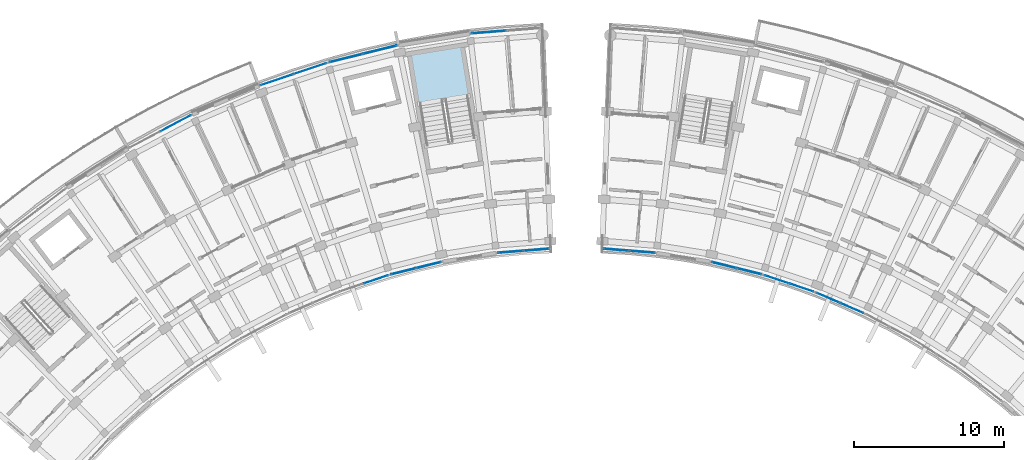
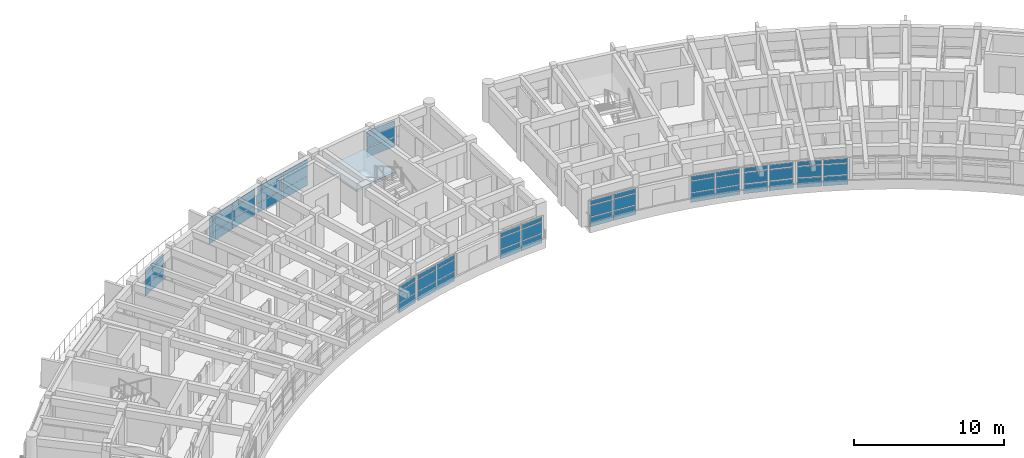
# One storey, part 22 of 55: 57 plates, 1 slab, 12 elements without a shape of their own.
"""IFC4 building model written with IfcOpenShell, lengths in metres."""

from ifc_helpers import new_model, si_unit, direction, frame, origin, origin_2d, place, context, subcontext, project, spatial, polyline, rectangle, outline, extrude, material, layer, layer_set, type_object, element, aggregate, save


model = new_model("IFC4")

# Units and contexts
model_context = context("Model", 3, precision=1e-05, world=origin(), true_north=direction((0.0, 1.0)))
body_context = subcontext(model_context, "Body", "Model", "MODEL_VIEW")
ifc_project = project(units=[si_unit("LENGTHUNIT", "METRE"), si_unit("AREAUNIT", "SQUARE_METRE"), si_unit("VOLUMEUNIT", "CUBIC_METRE"), si_unit("PLANEANGLEUNIT", "RADIAN"), si_unit("MASSUNIT", "GRAM", prefix="KILO")], contexts=[model_context])

# Site, building, storey
site_placement = place(None, origin())
site = spatial("IfcSite", under=ifc_project, at=site_placement, CompositionType="ELEMENT")
building_placement = place(site_placement, origin())
building = spatial("IfcBuilding", under=site, at=building_placement, Name="Zimvara Arc Housing Community", CompositionType="ELEMENT")
storey_placement = place(building_placement, frame((0.0, 0.0, 14.300048828125)))
storey = spatial("IfcBuildingStorey", under=building, at=storey_placement, Name="L04", CompositionType="ELEMENT", Elevation=14.300048828125)

# Curtain wall, plates
ifc_material_1 = material(Name="Anodised Aluminium AW-6063", Category="aluminium")
curtain_wall_type_1 = type_object("IfcCurtainWallType", Name="CW-SYS-08", PredefinedType="USERDEFINED", material=ifc_material_1)
curtain_wall_1_placement = place(storey_placement, origin())
curtain_wall_1 = element("IfcCurtainWall", 1, at=curtain_wall_1_placement, inside=storey, type_object=curtain_wall_type_1, Name="cw:blkA:L04:in:b7", ObjectType="CURTAIN WALL", PredefinedType="USERDEFINED")
ifc_material_2 = material(Name="Pale-Gold Anodised Aluminium Spandrel Panel", Category="aluminium")
ifc_layer_1 = layer(ifc_material_2, 0.035888671875)
ifc_layer_set_1 = layer_set([ifc_layer_1], Name="Pale-Gold Anodised Aluminium Spandrel Panel")
plate_type_1 = type_object("IfcPlateType", Name="CWP-GLD-36", PredefinedType="CURTAIN_PANEL", material=ifc_layer_set_1)
plate_1_placement = place(storey_placement, frame((33.45068359375, 87.569580078125, 0.06494140625), z_axis=(0.0, 0.0, 1.0), x_axis=(0.970716537698, 0.240227815706, 0.0)))
plate_1 = element("IfcPlate", 2, at=plate_1_placement, type_object=plate_type_1, Name="CW08 panel 1.1", PredefinedType="CURTAIN_PANEL", context=body_context, shape_type="SweptSolid", body=[
    extrude(rectangle(XDim=1.664306640625, YDim=0.035888671875, at=origin_2d()), origin(), (0.0, 0.0, 1.0), 0.75244140625),
])
plate_2_placement = place(storey_placement, frame((33.45068359375, 87.569580078125, 0.88232421875), z_axis=(0.0, 0.0, 1.0), x_axis=(0.970716537698, 0.240227815706, 0.0)))
plate_2 = element("IfcPlate", 3, at=plate_2_placement, type_object=plate_type_1, Name="CW08 panel 1.2", PredefinedType="CURTAIN_PANEL", context=body_context, shape_type="SweptSolid", body=[
    extrude(rectangle(XDim=1.664306640625, YDim=0.035888671875, at=origin_2d()), origin(), (0.0, 0.0, 1.0), 0.885009765625),
])
plate_3_placement = place(storey_placement, frame((33.45068359375, 87.569580078125, 1.83251953125), z_axis=(0.0, 0.0, 1.0), x_axis=(0.970716537698, 0.240227815706, 0.0)))
plate_3 = element("IfcPlate", 4, at=plate_3_placement, type_object=plate_type_1, Name="CW08 panel 1.3", PredefinedType="CURTAIN_PANEL", context=body_context, shape_type="SweptSolid", body=[
    extrude(rectangle(XDim=1.664306640625, YDim=0.035888671875, at=origin_2d()), origin(), (0.0, 0.0, 1.0), 0.3525390625),
])
plate_4_placement = place(storey_placement, frame((35.12939453125, 87.98486328125, 0.06494140625), z_axis=(0.0, 0.0, 1.0), x_axis=(0.970716537698, 0.240227815706, 0.0)))
plate_4 = element("IfcPlate", 5, at=plate_4_placement, type_object=plate_type_1, Name="CW08 panel 2.1", PredefinedType="CURTAIN_PANEL", context=body_context, shape_type="SweptSolid", body=[
    extrude(rectangle(XDim=1.664306640625, YDim=0.035888671875, at=origin_2d()), origin(), (0.0, 0.0, 1.0), 0.75244140625),
])
plate_5_placement = place(storey_placement, frame((35.12939453125, 87.98486328125, 0.88232421875), z_axis=(0.0, 0.0, 1.0), x_axis=(0.970716537698, 0.240227815706, 0.0)))
plate_5 = element("IfcPlate", 6, at=plate_5_placement, type_object=plate_type_1, Name="CW08 panel 2.2", PredefinedType="CURTAIN_PANEL", context=body_context, shape_type="SweptSolid", body=[
    extrude(rectangle(XDim=1.664306640625, YDim=0.035888671875, at=origin_2d()), origin(), (0.0, 0.0, 1.0), 0.885009765625),
])
plate_6_placement = place(storey_placement, frame((35.12939453125, 87.98486328125, 1.83251953125), z_axis=(0.0, 0.0, 1.0), x_axis=(0.970716537698, 0.240227815706, 0.0)))
plate_6 = element("IfcPlate", 7, at=plate_6_placement, type_object=plate_type_1, Name="CW08 panel 2.3", PredefinedType="CURTAIN_PANEL", context=body_context, shape_type="SweptSolid", body=[
    extrude(rectangle(XDim=1.664306640625, YDim=0.035888671875, at=origin_2d()), origin(), (0.0, 0.0, 1.0), 0.3525390625),
])
aggregate(curtain_wall_1, [plate_1, plate_2, plate_3, plate_4, plate_5, plate_6])

curtain_wall_2_placement = place(storey_placement, origin())
curtain_wall_2 = element("IfcCurtainWall", 8, at=curtain_wall_2_placement, inside=storey, type_object=curtain_wall_type_1, Name="cw:blkB:L04:in:b2", ObjectType="CURTAIN WALL", PredefinedType="USERDEFINED")
plate_7_placement = place(storey_placement, frame((54.87060546875, 87.98486328125, 0.06494140625), z_axis=(0.0, 0.0, 1.0), x_axis=(0.970716537698, -0.240227815706, 0.0)))
plate_7 = element("IfcPlate", 9, at=plate_7_placement, type_object=plate_type_1, Name="CW08 panel 1.1", PredefinedType="CURTAIN_PANEL", context=body_context, shape_type="SweptSolid", body=[
    extrude(rectangle(XDim=1.664306640625, YDim=0.035888671875, at=origin_2d()), origin(), (0.0, 0.0, 1.0), 0.75244140625),
])
plate_8_placement = place(storey_placement, frame((54.87060546875, 87.98486328125, 0.88232421875), z_axis=(0.0, 0.0, 1.0), x_axis=(0.970716537698, -0.240227815706, 0.0)))
plate_8 = element("IfcPlate", 10, at=plate_8_placement, type_object=plate_type_1, Name="CW08 panel 1.2", PredefinedType="CURTAIN_PANEL", context=body_context, shape_type="SweptSolid", body=[
    extrude(rectangle(XDim=1.664306640625, YDim=0.035888671875, at=origin_2d()), origin(), (0.0, 0.0, 1.0), 0.885009765625),
])
plate_9_placement = place(storey_placement, frame((54.87060546875, 87.98486328125, 1.83251953125), z_axis=(0.0, 0.0, 1.0), x_axis=(0.970716537698, -0.240227815706, 0.0)))
plate_9 = element("IfcPlate", 11, at=plate_9_placement, type_object=plate_type_1, Name="CW08 panel 1.3", PredefinedType="CURTAIN_PANEL", context=body_context, shape_type="SweptSolid", body=[
    extrude(rectangle(XDim=1.664306640625, YDim=0.035888671875, at=origin_2d()), origin(), (0.0, 0.0, 1.0), 0.3525390625),
])
plate_10_placement = place(storey_placement, frame((56.54931640625, 87.569580078125, 0.06494140625), z_axis=(0.0, 0.0, 1.0), x_axis=(0.970716537698, -0.240227815706, 0.0)))
plate_10 = element("IfcPlate", 12, at=plate_10_placement, type_object=plate_type_1, Name="CW08 panel 2.1", PredefinedType="CURTAIN_PANEL", context=body_context, shape_type="SweptSolid", body=[
    extrude(rectangle(XDim=1.664306640625, YDim=0.035888671875, at=origin_2d()), origin(), (0.0, 0.0, 1.0), 0.75244140625),
])
plate_11_placement = place(storey_placement, frame((56.54931640625, 87.569580078125, 0.88232421875), z_axis=(0.0, 0.0, 1.0), x_axis=(0.970716537698, -0.240227815706, 0.0)))
plate_11 = element("IfcPlate", 13, at=plate_11_placement, type_object=plate_type_1, Name="CW08 panel 2.2", PredefinedType="CURTAIN_PANEL", context=body_context, shape_type="SweptSolid", body=[
    extrude(rectangle(XDim=1.664306640625, YDim=0.035888671875, at=origin_2d()), origin(), (0.0, 0.0, 1.0), 0.885009765625),
])
plate_12_placement = place(storey_placement, frame((56.54931640625, 87.569580078125, 1.83251953125), z_axis=(0.0, 0.0, 1.0), x_axis=(0.970716537698, -0.240227815706, 0.0)))
plate_12 = element("IfcPlate", 14, at=plate_12_placement, type_object=plate_type_1, Name="CW08 panel 2.3", PredefinedType="CURTAIN_PANEL", context=body_context, shape_type="SweptSolid", body=[
    extrude(rectangle(XDim=1.664306640625, YDim=0.035888671875, at=origin_2d()), origin(), (0.0, 0.0, 1.0), 0.3525390625),
])
aggregate(curtain_wall_2, [plate_7, plate_8, plate_9, plate_10, plate_11, plate_12])

ifc_material_3 = material(Name="Anodised Aluminium AW-6063", Category="aluminium")
curtain_wall_type_2 = type_object("IfcCurtainWallType", Name="CW-SYS-05", PredefinedType="USERDEFINED", material=ifc_material_3)
curtain_wall_3_placement = place(storey_placement, origin())
curtain_wall_3 = element("IfcCurtainWall", 15, at=curtain_wall_3_placement, inside=storey, type_object=curtain_wall_type_2, Name="cw:blkA:L04:out:b6", ObjectType="CURTAIN WALL", PredefinedType="USERDEFINED")
ifc_material_4 = material(Name="Solar Control Low-E Double Glazing", Category="glass")
ifc_layer_2 = layer(ifc_material_4, 0.02392578125)
ifc_layer_set_2 = layer_set([ifc_layer_2], Name="Solar Control Low-E Double Glazing")
plate_type_2 = type_object("IfcPlateType", Name="CWP-GLZ-24", PredefinedType="CURTAIN_PANEL", material=ifc_layer_set_2)
plate_13_placement = place(storey_placement, frame((24.990478515625, 100.36669921875, 0.06494140625), z_axis=(0.0, 0.0, 1.0), x_axis=(0.947879647164, 0.318628583921, 0.0)))
plate_13 = element("IfcPlate", 16, at=plate_13_placement, type_object=plate_type_2, Name="CW05 panel 1.1", PredefinedType="CURTAIN_PANEL", context=body_context, shape_type="SweptSolid", body=[
    extrude(rectangle(XDim=2.266845703125, YDim=0.02392578125, at=origin_2d()), origin(), (0.0, 0.0, 1.0), 0.75244140625),
])
plate_14_placement = place(storey_placement, frame((24.990478515625, 100.36669921875, 0.88232421875), z_axis=(0.0, 0.0, 1.0), x_axis=(0.947879647164, 0.318628583921, 0.0)))
plate_14 = element("IfcPlate", 17, at=plate_14_placement, type_object=plate_type_2, Name="CW05 panel 1.2", PredefinedType="CURTAIN_PANEL", context=body_context, shape_type="SweptSolid", body=[
    extrude(rectangle(XDim=2.266845703125, YDim=0.02392578125, at=origin_2d()), origin(), (0.0, 0.0, 1.0), 0.885009765625),
])
plate_15_placement = place(storey_placement, frame((24.990478515625, 100.36669921875, 1.83251953125), z_axis=(0.0, 0.0, 1.0), x_axis=(0.947879647164, 0.318628583921, 0.0)))
plate_15 = element("IfcPlate", 18, at=plate_15_placement, type_object=plate_type_2, Name="CW05 panel 1.3", PredefinedType="CURTAIN_PANEL", context=body_context, shape_type="SweptSolid", body=[
    extrude(rectangle(XDim=2.266845703125, YDim=0.02392578125, at=origin_2d()), origin(), (0.0, 0.0, 1.0), 0.3525390625),
])
plate_16_placement = place(storey_placement, frame((27.200927734375, 101.109619140625, 0.06494140625), z_axis=(0.0, 0.0, 1.0), x_axis=(0.947879647164, 0.318628583921, 0.0)))
plate_16 = element("IfcPlate", 19, at=plate_16_placement, type_object=plate_type_2, Name="CW05 panel 2.1", PredefinedType="CURTAIN_PANEL", context=body_context, shape_type="SweptSolid", body=[
    extrude(rectangle(XDim=2.266845703125, YDim=0.02392578125, at=origin_2d()), origin(), (0.0, 0.0, 1.0), 0.75244140625),
])
plate_17_placement = place(storey_placement, frame((27.200927734375, 101.109619140625, 0.88232421875), z_axis=(0.0, 0.0, 1.0), x_axis=(0.947879647164, 0.318628583921, 0.0)))
plate_17 = element("IfcPlate", 20, at=plate_17_placement, type_object=plate_type_2, Name="CW05 panel 2.2", PredefinedType="CURTAIN_PANEL", context=body_context, shape_type="SweptSolid", body=[
    extrude(rectangle(XDim=2.266845703125, YDim=0.02392578125, at=origin_2d()), origin(), (0.0, 0.0, 1.0), 0.885009765625),
])
plate_18_placement = place(storey_placement, frame((27.200927734375, 101.109619140625, 1.83251953125), z_axis=(0.0, 0.0, 1.0), x_axis=(0.947879647164, 0.318628583921, 0.0)))
plate_18 = element("IfcPlate", 21, at=plate_18_placement, type_object=plate_type_2, Name="CW05 panel 2.3", PredefinedType="CURTAIN_PANEL", context=body_context, shape_type="SweptSolid", body=[
    extrude(rectangle(XDim=2.266845703125, YDim=0.02392578125, at=origin_2d()), origin(), (0.0, 0.0, 1.0), 0.3525390625),
])
aggregate(curtain_wall_3, [plate_13, plate_14, plate_15, plate_16, plate_17, plate_18])

ifc_material_5 = material(Name="Anodised Aluminium AW-6063", Category="aluminium")
curtain_wall_type_3 = type_object("IfcCurtainWallType", Name="CW-SYS-01", PredefinedType="USERDEFINED", material=ifc_material_5)
curtain_wall_4_placement = place(storey_placement, origin())
curtain_wall_4 = element("IfcCurtainWall", 22, at=curtain_wall_4_placement, inside=storey, type_object=curtain_wall_type_3, Name="cw:blkA:L04:out:b9", ObjectType="CURTAIN WALL", PredefinedType="USERDEFINED")
plate_19_placement = place(storey_placement, frame((39.141357421875, 103.552001953125, 0.06494140625), z_axis=(0.0, 0.0, 1.0), x_axis=(0.996862418963, 0.079153759607, 0.0)))
plate_19 = element("IfcPlate", 23, at=plate_19_placement, type_object=plate_type_2, Name="CW01 panel 1.1", PredefinedType="CURTAIN_PANEL", context=body_context, shape_type="SweptSolid", body=[
    extrude(rectangle(XDim=2.266845703125, YDim=0.02392578125, at=origin_2d()), origin(), (0.0, 0.0, 1.0), 0.75244140625),
])
plate_20_placement = place(storey_placement, frame((39.141357421875, 103.552001953125, 0.88232421875), z_axis=(0.0, 0.0, 1.0), x_axis=(0.996862418963, 0.079153759607, 0.0)))
plate_20 = element("IfcPlate", 24, at=plate_20_placement, type_object=plate_type_2, Name="CW01 panel 1.2", PredefinedType="CURTAIN_PANEL", context=body_context, shape_type="SweptSolid", body=[
    extrude(rectangle(XDim=2.266845703125, YDim=0.02392578125, at=origin_2d()), origin(), (0.0, 0.0, 1.0), 0.885009765625),
])
plate_21_placement = place(storey_placement, frame((39.141357421875, 103.552001953125, 1.83251953125), z_axis=(0.0, 0.0, 1.0), x_axis=(0.996862418963, 0.079153759607, 0.0)))
plate_21 = element("IfcPlate", 25, at=plate_21_placement, type_object=plate_type_2, Name="CW01 panel 1.3", PredefinedType="CURTAIN_PANEL", context=body_context, shape_type="SweptSolid", body=[
    extrude(rectangle(XDim=2.266845703125, YDim=0.02392578125, at=origin_2d()), origin(), (0.0, 0.0, 1.0), 0.3525390625),
])
aggregate(curtain_wall_4, [plate_19, plate_20, plate_21])

curtain_wall_5_placement = place(storey_placement, origin())
curtain_wall_5 = element("IfcCurtainWall", 26, at=curtain_wall_5_placement, inside=storey, type_object=curtain_wall_type_3, Name="cw:blkB:L04:in:b3", ObjectType="CURTAIN WALL", PredefinedType="USERDEFINED")
plate_22_placement = place(storey_placement, frame((58.3857421875, 87.03466796875, 0.06494140625), z_axis=(0.0, 0.0, 1.0), x_axis=(0.94787908732, -0.318630249383, 0.0)))
plate_22 = element("IfcPlate", 27, at=plate_22_placement, type_object=plate_type_2, Name="CW01 panel 1.1", PredefinedType="CURTAIN_PANEL", context=body_context, shape_type="SweptSolid", body=[
    extrude(rectangle(XDim=1.664306640625, YDim=0.02392578125, at=origin_2d()), origin(), (0.0, 0.0, 1.0), 0.75244140625),
])
plate_23_placement = place(storey_placement, frame((58.3857421875, 87.03466796875, 0.88232421875), z_axis=(0.0, 0.0, 1.0), x_axis=(0.94787908732, -0.318630249383, 0.0)))
plate_23 = element("IfcPlate", 28, at=plate_23_placement, type_object=plate_type_2, Name="CW01 panel 1.2", PredefinedType="CURTAIN_PANEL", context=body_context, shape_type="SweptSolid", body=[
    extrude(rectangle(XDim=1.664306640625, YDim=0.02392578125, at=origin_2d()), origin(), (0.0, 0.0, 1.0), 0.885009765625),
])
plate_24_placement = place(storey_placement, frame((58.3857421875, 87.03466796875, 1.83251953125), z_axis=(0.0, 0.0, 1.0), x_axis=(0.94787908732, -0.318630249383, 0.0)))
plate_24 = element("IfcPlate", 29, at=plate_24_placement, type_object=plate_type_2, Name="CW01 panel 1.3", PredefinedType="CURTAIN_PANEL", context=body_context, shape_type="SweptSolid", body=[
    extrude(rectangle(XDim=1.664306640625, YDim=0.02392578125, at=origin_2d()), origin(), (0.0, 0.0, 1.0), 0.3525390625),
])
plate_25_placement = place(storey_placement, frame((60.02490234375, 86.483642578125, 0.06494140625), z_axis=(0.0, 0.0, 1.0), x_axis=(0.94787908732, -0.318630249383, 0.0)))
plate_25 = element("IfcPlate", 30, at=plate_25_placement, type_object=plate_type_2, Name="CW01 panel 2.1", PredefinedType="CURTAIN_PANEL", context=body_context, shape_type="SweptSolid", body=[
    extrude(rectangle(XDim=1.664306640625, YDim=0.02392578125, at=origin_2d()), origin(), (0.0, 0.0, 1.0), 0.75244140625),
])
plate_26_placement = place(storey_placement, frame((60.02490234375, 86.483642578125, 0.88232421875), z_axis=(0.0, 0.0, 1.0), x_axis=(0.94787908732, -0.318630249383, 0.0)))
plate_26 = element("IfcPlate", 31, at=plate_26_placement, type_object=plate_type_2, Name="CW01 panel 2.2", PredefinedType="CURTAIN_PANEL", context=body_context, shape_type="SweptSolid", body=[
    extrude(rectangle(XDim=1.664306640625, YDim=0.02392578125, at=origin_2d()), origin(), (0.0, 0.0, 1.0), 0.885009765625),
])
plate_27_placement = place(storey_placement, frame((60.02490234375, 86.483642578125, 1.83251953125), z_axis=(0.0, 0.0, 1.0), x_axis=(0.94787908732, -0.318630249383, 0.0)))
plate_27 = element("IfcPlate", 32, at=plate_27_placement, type_object=plate_type_2, Name="CW01 panel 2.3", PredefinedType="CURTAIN_PANEL", context=body_context, shape_type="SweptSolid", body=[
    extrude(rectangle(XDim=1.664306640625, YDim=0.02392578125, at=origin_2d()), origin(), (0.0, 0.0, 1.0), 0.3525390625),
])
aggregate(curtain_wall_5, [plate_22, plate_23, plate_24, plate_25, plate_26, plate_27])

ifc_material_6 = material(Name="Anodised Aluminium AW-6063", Category="aluminium")
curtain_wall_type_4 = type_object("IfcCurtainWallType", Name="CW-SYS-02", PredefinedType="USERDEFINED", material=ifc_material_6)
curtain_wall_6_placement = place(storey_placement, origin())
curtain_wall_6 = element("IfcCurtainWall", 33, at=curtain_wall_6_placement, inside=storey, type_object=curtain_wall_type_4, Name="cw:blkA:L04:out:b4", ObjectType="CURTAIN WALL", PredefinedType="USERDEFINED")
ifc_material_7 = material(Name="Solar Control Low-E Double Glazing", Category="glass")
ifc_layer_3 = layer(ifc_material_7, 0.028076171875)
ifc_layer_set_3 = layer_set([ifc_layer_3], Name="Solar Control Low-E Double Glazing")
plate_type_3 = type_object("IfcPlateType", Name="CWP-GLZ-28", PredefinedType="CURTAIN_PANEL", material=ifc_layer_set_3)
plate_28_placement = place(storey_placement, frame((18.23095703125, 97.461181640625, 0.06494140625), z_axis=(0.0, 0.0, 1.0), x_axis=(0.883438614651, 0.468546917761, 0.0)))
plate_28 = element("IfcPlate", 34, at=plate_28_placement, type_object=plate_type_3, Name="CW02 panel 2.1", PredefinedType="CURTAIN_PANEL", context=body_context, shape_type="SweptSolid", body=[
    extrude(rectangle(XDim=2.266845703125, YDim=0.028076171875, at=origin_2d()), origin(), (0.0, 0.0, 1.0), 0.75244140625),
])
plate_29_placement = place(storey_placement, frame((18.23095703125, 97.461181640625, 0.88232421875), z_axis=(0.0, 0.0, 1.0), x_axis=(0.883438614651, 0.468546917761, 0.0)))
plate_29 = element("IfcPlate", 35, at=plate_29_placement, type_object=plate_type_3, Name="CW02 panel 2.2", PredefinedType="CURTAIN_PANEL", context=body_context, shape_type="SweptSolid", body=[
    extrude(rectangle(XDim=2.266845703125, YDim=0.028076171875, at=origin_2d()), origin(), (0.0, 0.0, 1.0), 0.885009765625),
])
plate_30_placement = place(storey_placement, frame((18.23095703125, 97.461181640625, 1.83251953125), z_axis=(0.0, 0.0, 1.0), x_axis=(0.883438614651, 0.468546917761, 0.0)))
plate_30 = element("IfcPlate", 36, at=plate_30_placement, type_object=plate_type_3, Name="CW02 panel 2.3", PredefinedType="CURTAIN_PANEL", context=body_context, shape_type="SweptSolid", body=[
    extrude(rectangle(XDim=2.266845703125, YDim=0.028076171875, at=origin_2d()), origin(), (0.0, 0.0, 1.0), 0.3525390625),
])
aggregate(curtain_wall_6, [plate_28, plate_29, plate_30])

ifc_material_8 = material(Name="Anodised Aluminium AW-6063", Category="aluminium")
curtain_wall_type_5 = type_object("IfcCurtainWallType", Name="CW-SYS-06", PredefinedType="USERDEFINED", material=ifc_material_8)
curtain_wall_7_placement = place(storey_placement, origin())
curtain_wall_7 = element("IfcCurtainWall", 37, at=curtain_wall_7_placement, inside=storey, type_object=curtain_wall_type_5, Name="cw:blkA:L04:in:b6", ObjectType="CURTAIN WALL", PredefinedType="USERDEFINED")
plate_31_placement = place(storey_placement, frame((31.6142578125, 87.03466796875, 0.06494140625), z_axis=(0.0, 0.0, 1.0), x_axis=(0.94787908732, 0.318630249383, 0.0)))
plate_31 = element("IfcPlate", 38, at=plate_31_placement, type_object=plate_type_3, Name="CW06 panel 2.1", PredefinedType="CURTAIN_PANEL", context=body_context, shape_type="SweptSolid", body=[
    extrude(rectangle(XDim=1.664306640625, YDim=0.028076171875, at=origin_2d()), origin(), (0.0, 0.0, 1.0), 0.75244140625),
])
plate_32_placement = place(storey_placement, frame((31.6142578125, 87.03466796875, 0.88232421875), z_axis=(0.0, 0.0, 1.0), x_axis=(0.94787908732, 0.318630249383, 0.0)))
plate_32 = element("IfcPlate", 39, at=plate_32_placement, type_object=plate_type_3, Name="CW06 panel 2.2", PredefinedType="CURTAIN_PANEL", context=body_context, shape_type="SweptSolid", body=[
    extrude(rectangle(XDim=1.664306640625, YDim=0.028076171875, at=origin_2d()), origin(), (0.0, 0.0, 1.0), 0.885009765625),
])
plate_33_placement = place(storey_placement, frame((31.6142578125, 87.03466796875, 1.83251953125), z_axis=(0.0, 0.0, 1.0), x_axis=(0.94787908732, 0.318630249383, 0.0)))
plate_33 = element("IfcPlate", 40, at=plate_33_placement, type_object=plate_type_3, Name="CW06 panel 2.3", PredefinedType="CURTAIN_PANEL", context=body_context, shape_type="SweptSolid", body=[
    extrude(rectangle(XDim=1.664306640625, YDim=0.028076171875, at=origin_2d()), origin(), (0.0, 0.0, 1.0), 0.3525390625),
])
aggregate(curtain_wall_7, [plate_31, plate_32, plate_33])

curtain_wall_8_placement = place(storey_placement, origin())
curtain_wall_8 = element("IfcCurtainWall", 41, at=curtain_wall_8_placement, inside=storey, type_object=curtain_wall_type_4, Name="cw:blkA:L04:in:b9", ObjectType="CURTAIN WALL", PredefinedType="USERDEFINED")
plate_34_placement = place(storey_placement, frame((40.609130859375, 88.87451171875, 0.06494140625), z_axis=(0.0, 0.0, 1.0), x_axis=(0.996862343506, 0.079154709897, 0.0)))
plate_34 = element("IfcPlate", 42, at=plate_34_placement, type_object=plate_type_3, Name="CW02 panel 1.1", PredefinedType="CURTAIN_PANEL", context=body_context, shape_type="SweptSolid", body=[
    extrude(rectangle(XDim=1.664306640625, YDim=0.028076171875, at=origin_2d()), origin(), (0.0, 0.0, 1.0), 0.75244140625),
])
plate_35_placement = place(storey_placement, frame((40.609130859375, 88.87451171875, 0.88232421875), z_axis=(0.0, 0.0, 1.0), x_axis=(0.996862343506, 0.079154709897, 0.0)))
plate_35 = element("IfcPlate", 43, at=plate_35_placement, type_object=plate_type_3, Name="CW02 panel 1.2", PredefinedType="CURTAIN_PANEL", context=body_context, shape_type="SweptSolid", body=[
    extrude(rectangle(XDim=1.664306640625, YDim=0.028076171875, at=origin_2d()), origin(), (0.0, 0.0, 1.0), 0.885009765625),
])
plate_36_placement = place(storey_placement, frame((40.609130859375, 88.87451171875, 1.83251953125), z_axis=(0.0, 0.0, 1.0), x_axis=(0.996862343506, 0.079154709897, 0.0)))
plate_36 = element("IfcPlate", 44, at=plate_36_placement, type_object=plate_type_3, Name="CW02 panel 1.3", PredefinedType="CURTAIN_PANEL", context=body_context, shape_type="SweptSolid", body=[
    extrude(rectangle(XDim=1.664306640625, YDim=0.028076171875, at=origin_2d()), origin(), (0.0, 0.0, 1.0), 0.3525390625),
])
plate_37_placement = place(storey_placement, frame((42.3330078125, 89.01123046875, 0.06494140625), z_axis=(0.0, 0.0, 1.0), x_axis=(0.996862343506, 0.079154709897, 0.0)))
plate_37 = element("IfcPlate", 45, at=plate_37_placement, type_object=plate_type_3, Name="CW02 panel 2.1", PredefinedType="CURTAIN_PANEL", context=body_context, shape_type="SweptSolid", body=[
    extrude(rectangle(XDim=1.664306640625, YDim=0.028076171875, at=origin_2d()), origin(), (0.0, 0.0, 1.0), 0.75244140625),
])
plate_38_placement = place(storey_placement, frame((42.3330078125, 89.01123046875, 0.88232421875), z_axis=(0.0, 0.0, 1.0), x_axis=(0.996862343506, 0.079154709897, 0.0)))
plate_38 = element("IfcPlate", 46, at=plate_38_placement, type_object=plate_type_3, Name="CW02 panel 2.2", PredefinedType="CURTAIN_PANEL", context=body_context, shape_type="SweptSolid", body=[
    extrude(rectangle(XDim=1.664306640625, YDim=0.028076171875, at=origin_2d()), origin(), (0.0, 0.0, 1.0), 0.885009765625),
])
plate_39_placement = place(storey_placement, frame((42.3330078125, 89.01123046875, 1.83251953125), z_axis=(0.0, 0.0, 1.0), x_axis=(0.996862343506, 0.079154709897, 0.0)))
plate_39 = element("IfcPlate", 47, at=plate_39_placement, type_object=plate_type_3, Name="CW02 panel 2.3", PredefinedType="CURTAIN_PANEL", context=body_context, shape_type="SweptSolid", body=[
    extrude(rectangle(XDim=1.664306640625, YDim=0.028076171875, at=origin_2d()), origin(), (0.0, 0.0, 1.0), 0.3525390625),
])
aggregate(curtain_wall_8, [plate_34, plate_35, plate_36, plate_37, plate_38, plate_39])

curtain_wall_9_placement = place(storey_placement, origin())
curtain_wall_9 = element("IfcCurtainWall", 48, at=curtain_wall_9_placement, inside=storey, type_object=curtain_wall_type_5, Name="cw:blkB:L04:in:b0", ObjectType="CURTAIN WALL", PredefinedType="USERDEFINED")
plate_40_placement = place(storey_placement, frame((47.6669921875, 89.01123046875, 0.06494140625), z_axis=(0.0, 0.0, 1.0), x_axis=(0.996862343506, -0.079154709897, 0.0)))
plate_40 = element("IfcPlate", 49, at=plate_40_placement, type_object=plate_type_3, Name="CW06 panel 1.1", PredefinedType="CURTAIN_PANEL", context=body_context, shape_type="SweptSolid", body=[
    extrude(rectangle(XDim=1.664306640625, YDim=0.028076171875, at=origin_2d()), origin(), (0.0, 0.0, 1.0), 0.75244140625),
])
plate_41_placement = place(storey_placement, frame((47.6669921875, 89.01123046875, 0.88232421875), z_axis=(0.0, 0.0, 1.0), x_axis=(0.996862343506, -0.079154709897, 0.0)))
plate_41 = element("IfcPlate", 50, at=plate_41_placement, type_object=plate_type_3, Name="CW06 panel 1.2", PredefinedType="CURTAIN_PANEL", context=body_context, shape_type="SweptSolid", body=[
    extrude(rectangle(XDim=1.664306640625, YDim=0.028076171875, at=origin_2d()), origin(), (0.0, 0.0, 1.0), 0.885009765625),
])
plate_42_placement = place(storey_placement, frame((47.6669921875, 89.01123046875, 1.83251953125), z_axis=(0.0, 0.0, 1.0), x_axis=(0.996862343506, -0.079154709897, 0.0)))
plate_42 = element("IfcPlate", 51, at=plate_42_placement, type_object=plate_type_3, Name="CW06 panel 1.3", PredefinedType="CURTAIN_PANEL", context=body_context, shape_type="SweptSolid", body=[
    extrude(rectangle(XDim=1.664306640625, YDim=0.028076171875, at=origin_2d()), origin(), (0.0, 0.0, 1.0), 0.3525390625),
])
plate_43_placement = place(storey_placement, frame((49.390869140625, 88.87451171875, 0.06494140625), z_axis=(0.0, 0.0, 1.0), x_axis=(0.996862343506, -0.079154709897, 0.0)))
plate_43 = element("IfcPlate", 52, at=plate_43_placement, type_object=plate_type_3, Name="CW06 panel 2.1", PredefinedType="CURTAIN_PANEL", context=body_context, shape_type="SweptSolid", body=[
    extrude(rectangle(XDim=1.664306640625, YDim=0.028076171875, at=origin_2d()), origin(), (0.0, 0.0, 1.0), 0.75244140625),
])
plate_44_placement = place(storey_placement, frame((49.390869140625, 88.87451171875, 0.88232421875), z_axis=(0.0, 0.0, 1.0), x_axis=(0.996862343506, -0.079154709897, 0.0)))
plate_44 = element("IfcPlate", 53, at=plate_44_placement, type_object=plate_type_3, Name="CW06 panel 2.2", PredefinedType="CURTAIN_PANEL", context=body_context, shape_type="SweptSolid", body=[
    extrude(rectangle(XDim=1.664306640625, YDim=0.028076171875, at=origin_2d()), origin(), (0.0, 0.0, 1.0), 0.885009765625),
])
plate_45_placement = place(storey_placement, frame((49.390869140625, 88.87451171875, 1.83251953125), z_axis=(0.0, 0.0, 1.0), x_axis=(0.996862343506, -0.079154709897, 0.0)))
plate_45 = element("IfcPlate", 54, at=plate_45_placement, type_object=plate_type_3, Name="CW06 panel 2.3", PredefinedType="CURTAIN_PANEL", context=body_context, shape_type="SweptSolid", body=[
    extrude(rectangle(XDim=1.664306640625, YDim=0.028076171875, at=origin_2d()), origin(), (0.0, 0.0, 1.0), 0.3525390625),
])
aggregate(curtain_wall_9, [plate_40, plate_41, plate_42, plate_43, plate_44, plate_45])

ifc_material_9 = material(Name="Anodised Aluminium AW-6063", Category="aluminium")
curtain_wall_type_6 = type_object("IfcCurtainWallType", Name="CW-SYS-07", PredefinedType="USERDEFINED", material=ifc_material_9)
curtain_wall_10_placement = place(storey_placement, origin())
curtain_wall_10 = element("IfcCurtainWall", 55, at=curtain_wall_10_placement, inside=storey, type_object=curtain_wall_type_6, Name="cw:blkA:L04:out:b7", ObjectType="CURTAIN WALL", PredefinedType="USERDEFINED")
ifc_material_10 = material(Name="Acoustic Laminated Solar Glazing", Category="glass")
ifc_layer_4 = layer(ifc_material_10, 0.031982421875)
ifc_layer_set_4 = layer_set([ifc_layer_4], Name="Acoustic Laminated Solar Glazing")
plate_type_4 = type_object("IfcPlateType", Name="CWP-GLZ-32", PredefinedType="CURTAIN_PANEL", material=ifc_layer_set_4)
plate_46_placement = place(storey_placement, frame((29.615234375, 101.81298828125, 0.06494140625), z_axis=(0.0, 0.0, 1.0), x_axis=(0.970716068627, 0.240229711131, 0.0)))
plate_46 = element("IfcPlate", 56, at=plate_46_placement, type_object=plate_type_4, Name="CW07 panel 1.1", PredefinedType="CURTAIN_PANEL", context=body_context, shape_type="SweptSolid", body=[
    extrude(rectangle(XDim=2.266845703125, YDim=0.031982421875, at=origin_2d()), origin(), (0.0, 0.0, 1.0), 0.75244140625),
])
plate_47_placement = place(storey_placement, frame((29.615234375, 101.81298828125, 0.88232421875), z_axis=(0.0, 0.0, 1.0), x_axis=(0.970716068627, 0.240229711131, 0.0)))
plate_47 = element("IfcPlate", 57, at=plate_47_placement, type_object=plate_type_4, Name="CW07 panel 1.2", PredefinedType="CURTAIN_PANEL", context=body_context, shape_type="SweptSolid", body=[
    extrude(rectangle(XDim=2.266845703125, YDim=0.031982421875, at=origin_2d()), origin(), (0.0, 0.0, 1.0), 0.885009765625),
])
plate_48_placement = place(storey_placement, frame((29.615234375, 101.81298828125, 1.83251953125), z_axis=(0.0, 0.0, 1.0), x_axis=(0.970716068627, 0.240229711131, 0.0)))
plate_48 = element("IfcPlate", 58, at=plate_48_placement, type_object=plate_type_4, Name="CW07 panel 1.3", PredefinedType="CURTAIN_PANEL", context=body_context, shape_type="SweptSolid", body=[
    extrude(rectangle(XDim=2.266845703125, YDim=0.031982421875, at=origin_2d()), origin(), (0.0, 0.0, 1.0), 0.3525390625),
])
plate_49_placement = place(storey_placement, frame((31.87890625, 102.373291015625, 0.06494140625), z_axis=(0.0, 0.0, 1.0), x_axis=(0.970716068627, 0.240229711131, 0.0)))
plate_49 = element("IfcPlate", 59, at=plate_49_placement, type_object=plate_type_4, Name="CW07 panel 2.1", PredefinedType="CURTAIN_PANEL", context=body_context, shape_type="SweptSolid", body=[
    extrude(rectangle(XDim=2.266845703125, YDim=0.031982421875, at=origin_2d()), origin(), (0.0, 0.0, 1.0), 0.75244140625),
])
plate_50_placement = place(storey_placement, frame((31.87890625, 102.373291015625, 0.88232421875), z_axis=(0.0, 0.0, 1.0), x_axis=(0.970716068627, 0.240229711131, 0.0)))
plate_50 = element("IfcPlate", 60, at=plate_50_placement, type_object=plate_type_4, Name="CW07 panel 2.2", PredefinedType="CURTAIN_PANEL", context=body_context, shape_type="SweptSolid", body=[
    extrude(rectangle(XDim=2.266845703125, YDim=0.031982421875, at=origin_2d()), origin(), (0.0, 0.0, 1.0), 0.885009765625),
])
plate_51_placement = place(storey_placement, frame((31.87890625, 102.373291015625, 1.83251953125), z_axis=(0.0, 0.0, 1.0), x_axis=(0.970716068627, 0.240229711131, 0.0)))
plate_51 = element("IfcPlate", 61, at=plate_51_placement, type_object=plate_type_4, Name="CW07 panel 2.3", PredefinedType="CURTAIN_PANEL", context=body_context, shape_type="SweptSolid", body=[
    extrude(rectangle(XDim=2.266845703125, YDim=0.031982421875, at=origin_2d()), origin(), (0.0, 0.0, 1.0), 0.3525390625),
])
aggregate(curtain_wall_10, [plate_46, plate_47, plate_48, plate_49, plate_50, plate_51])

ifc_material_11 = material(Name="Anodised Aluminium AW-6063", Category="aluminium")
curtain_wall_type_7 = type_object("IfcCurtainWallType", Name="CW-SYS-03", PredefinedType="USERDEFINED", material=ifc_material_11)
curtain_wall_11_placement = place(storey_placement, origin())
curtain_wall_11 = element("IfcCurtainWall", 62, at=curtain_wall_11_placement, inside=storey, type_object=curtain_wall_type_7, Name="cw:blkB:L04:in:b4", ObjectType="CURTAIN WALL", PredefinedType="USERDEFINED")
plate_52_placement = place(storey_placement, frame((61.8115234375, 85.80078125, 0.06494140625), z_axis=(0.0, 0.0, 1.0), x_axis=(0.918722178415, -0.394904493375, 0.0)))
plate_52 = element("IfcPlate", 63, at=plate_52_placement, type_object=plate_type_4, Name="CW03 panel 1.1", PredefinedType="CURTAIN_PANEL", context=body_context, shape_type="SweptSolid", body=[
    extrude(rectangle(XDim=1.664306640625, YDim=0.031982421875, at=origin_2d()), origin(), (0.0, 0.0, 1.0), 0.75244140625),
])
plate_53_placement = place(storey_placement, frame((61.8115234375, 85.80078125, 0.88232421875), z_axis=(0.0, 0.0, 1.0), x_axis=(0.918722178415, -0.394904493375, 0.0)))
plate_53 = element("IfcPlate", 64, at=plate_53_placement, type_object=plate_type_4, Name="CW03 panel 1.2", PredefinedType="CURTAIN_PANEL", context=body_context, shape_type="SweptSolid", body=[
    extrude(rectangle(XDim=1.664306640625, YDim=0.031982421875, at=origin_2d()), origin(), (0.0, 0.0, 1.0), 0.885009765625),
])
plate_54_placement = place(storey_placement, frame((61.8115234375, 85.80078125, 1.83251953125), z_axis=(0.0, 0.0, 1.0), x_axis=(0.918722178415, -0.394904493375, 0.0)))
plate_54 = element("IfcPlate", 65, at=plate_54_placement, type_object=plate_type_4, Name="CW03 panel 1.3", PredefinedType="CURTAIN_PANEL", context=body_context, shape_type="SweptSolid", body=[
    extrude(rectangle(XDim=1.664306640625, YDim=0.031982421875, at=origin_2d()), origin(), (0.0, 0.0, 1.0), 0.3525390625),
])
plate_55_placement = place(storey_placement, frame((63.400390625, 85.11767578125, 0.06494140625), z_axis=(0.0, 0.0, 1.0), x_axis=(0.918722178415, -0.394904493375, 0.0)))
plate_55 = element("IfcPlate", 66, at=plate_55_placement, type_object=plate_type_4, Name="CW03 panel 2.1", PredefinedType="CURTAIN_PANEL", context=body_context, shape_type="SweptSolid", body=[
    extrude(rectangle(XDim=1.664306640625, YDim=0.031982421875, at=origin_2d()), origin(), (0.0, 0.0, 1.0), 0.75244140625),
])
plate_56_placement = place(storey_placement, frame((63.400390625, 85.11767578125, 0.88232421875), z_axis=(0.0, 0.0, 1.0), x_axis=(0.918722178415, -0.394904493375, 0.0)))
plate_56 = element("IfcPlate", 67, at=plate_56_placement, type_object=plate_type_4, Name="CW03 panel 2.2", PredefinedType="CURTAIN_PANEL", context=body_context, shape_type="SweptSolid", body=[
    extrude(rectangle(XDim=1.664306640625, YDim=0.031982421875, at=origin_2d()), origin(), (0.0, 0.0, 1.0), 0.885009765625),
])
plate_57_placement = place(storey_placement, frame((63.400390625, 85.11767578125, 1.83251953125), z_axis=(0.0, 0.0, 1.0), x_axis=(0.918722178415, -0.394904493375, 0.0)))
plate_57 = element("IfcPlate", 68, at=plate_57_placement, type_object=plate_type_4, Name="CW03 panel 2.3", PredefinedType="CURTAIN_PANEL", context=body_context, shape_type="SweptSolid", body=[
    extrude(rectangle(XDim=1.664306640625, YDim=0.031982421875, at=origin_2d()), origin(), (0.0, 0.0, 1.0), 0.3525390625),
])
aggregate(curtain_wall_11, [plate_52, plate_53, plate_54, plate_55, plate_56, plate_57])

# Stair, slab
ifc_material_12 = material(Name="Concrete C35/45", Category="concrete")
stair_type = type_object("IfcStairType", Name="STR-DL-315-310", PredefinedType="HALF_TURN_STAIR", material=ifc_material_12)
stair_placement = place(storey_placement, origin())
stair = element("IfcStair", 69, at=stair_placement, inside=storey, type_object=stair_type, Name="L04 Block A Exit Stair 2", PredefinedType="HALF_TURN_STAIR")
ifc_material_13 = material(Name="Concrete C35/45", Category="concrete")
ifc_layer_5 = layer(ifc_material_13, 0.199951171875)
ifc_layer_set_5 = layer_set([ifc_layer_5], Name="Concrete C35/45")
slab_type = type_object("IfcSlabType", Name="SLB-STAIR-LND-200", PredefinedType="LANDING", material=ifc_layer_set_5)
slab_placement = place(storey_placement, frame((0.0, 0.0, 1.349853515625)))
slab = element("IfcSlab", 70, at=slab_placement, type_object=slab_type, Name="ST-A2 landing 1", PredefinedType="LANDING", context=body_context, shape_type="SweptSolid", body=[
    extrude(outline(polyline([(37.814697265625, 99.2509765625), (37.278564453125, 102.552978515625), (33.962158203125, 102.014404296875), (34.498046875, 98.712646484375), (37.814697265625, 99.2509765625)])), origin(), (0.0, 0.0, 1.0), 0.2001953125),
])
aggregate(stair, [slab])

save(model, "model.ifc")
